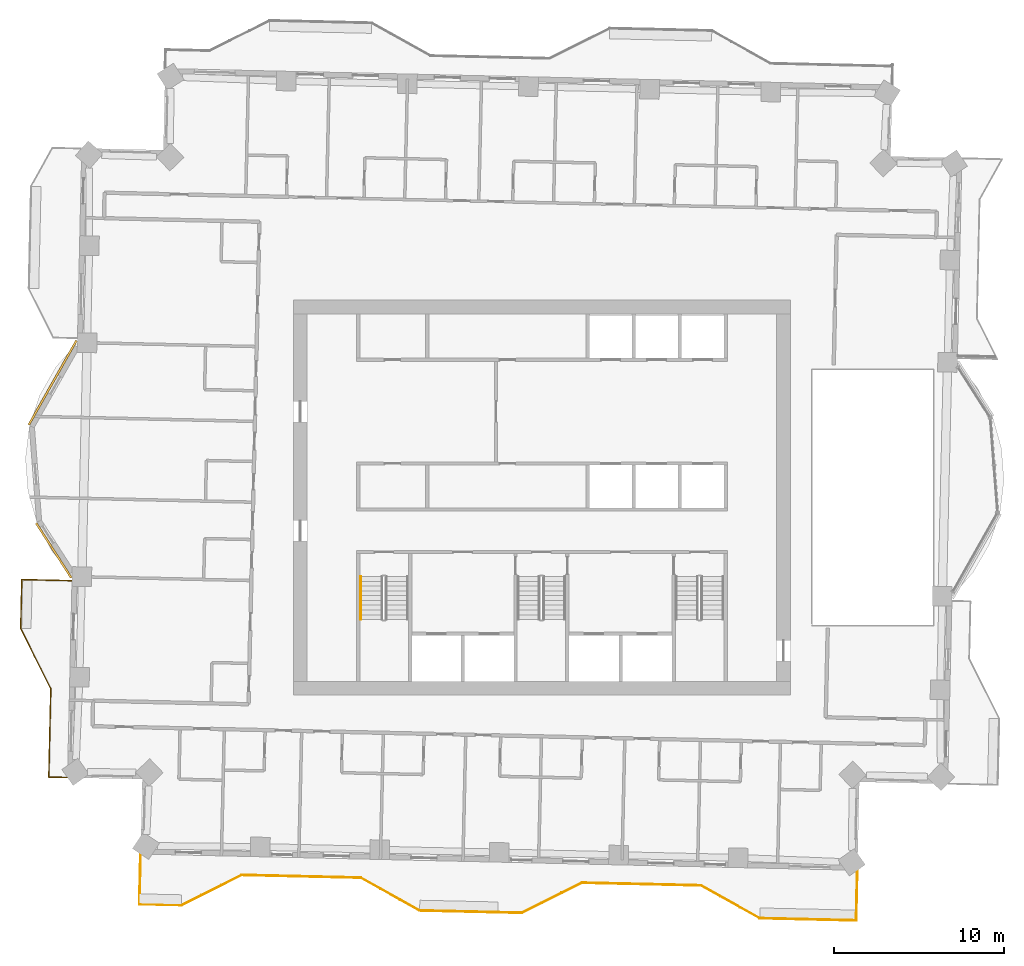
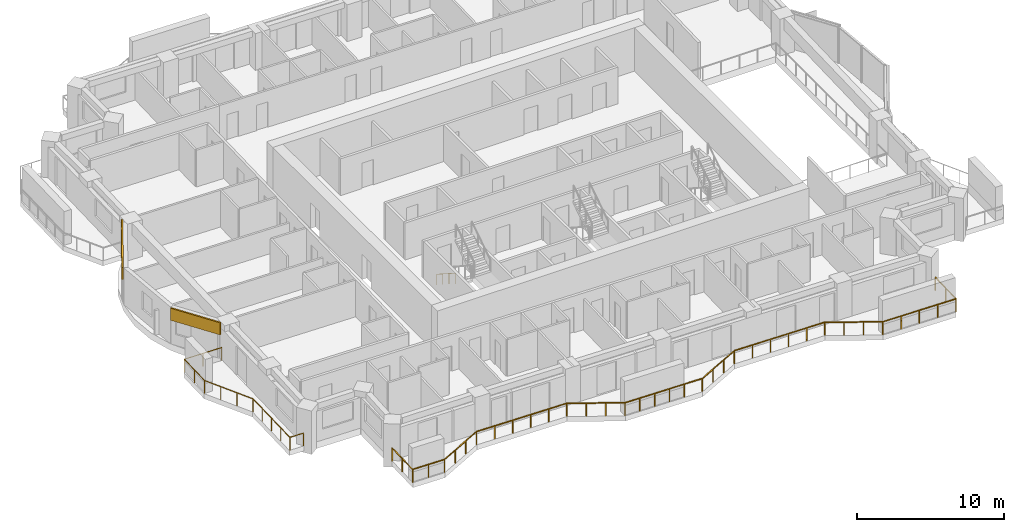
# One storey, part 13 of 16: 3 railings, 2 coverings.
"""IFC4 building model written with IfcOpenShell, lengths in metres."""

from ifc_helpers import new_model, si_unit, direction, frame, frame_2d, origin, origin_2d, place, context, subcontext, project, spatial, rectangle, circle, extrude, material, layer, layer_set, type_object, element, save


model = new_model("IFC4")

# Units and contexts
model_context = context("Model", 3, precision=1e-05, world=origin(), true_north=direction((0.0, 1.0)))
body_context = subcontext(model_context, "Body", "Model", "MODEL_VIEW")
ifc_project = project(units=[si_unit("LENGTHUNIT", "METRE"), si_unit("AREAUNIT", "SQUARE_METRE"), si_unit("VOLUMEUNIT", "CUBIC_METRE"), si_unit("PLANEANGLEUNIT", "RADIAN"), si_unit("MASSUNIT", "GRAM", prefix="KILO")], contexts=[model_context])

# Site, building, storey
site_placement = place(None, origin())
site = spatial("IfcSite", under=ifc_project, at=site_placement, CompositionType="ELEMENT")
building_placement = place(site_placement, origin())
building = spatial("IfcBuilding", under=site, at=building_placement, Name="Mangrove Gate Tower", CompositionType="ELEMENT")
storey_placement = place(building_placement, frame((0.0, 0.0, 201.5)))
storey = spatial("IfcBuildingStorey", under=building, at=storey_placement, Name="L51", CompositionType="ELEMENT", Elevation=201.5)

# Railings
ifc_material_1 = material(Name="Stainless steel grade 316 with laminated glass infill", Category="steel")
railing_type_1 = type_object("IfcRailingType", Name="Balcony guard 1100", PredefinedType="GUARDRAIL", material=ifc_material_1)
railing_1_placement = place(storey_placement, frame((-27.6669921875, -4.885986328125, 0.0)))
element("IfcRailing", 1, at=railing_1_placement, inside=storey, type_object=railing_type_1, Name="GUARD L51 W2", PredefinedType="GUARDRAIL", context=body_context, shape_type="SweptSolid", body=[
    extrude(rectangle(XDim=0.048095703125, YDim=0.048095703125, at=origin_2d()), frame((0.0, 0.0, 1.076171875), z_axis=(-0.999743349437, 0.022654696127, 0.0), x_axis=(-0.022654696127, -0.999743349437, 0.0)), (0.0, 0.0, 1.0), 2.90966796875),
    extrude(rectangle(XDim=0.048095703125, YDim=0.048095703125, at=origin_2d()), frame((-2.908935546875, 0.06591796875, 1.076171875), z_axis=(-0.022675106248, -0.999742886725, 0.0), x_axis=(0.999742886725, -0.022675106248, 0.0)), (0.0, 0.0, 1.0), 2.874755859375),
    extrude(rectangle(XDim=0.048095703125, YDim=0.048095703125, at=origin_2d()), frame((-2.97412109375, -2.80810546875, 1.076171875), z_axis=(0.447114919141, -0.894476522376, 0.0), x_axis=(0.894476522376, 0.447114919141, 0.0)), (0.0, 0.0, 1.0), 3.958740234375),
    extrude(rectangle(XDim=0.048095703125, YDim=0.048095703125, at=origin_2d()), frame((-1.2041015625, -6.34912109375, 1.076171875), z_axis=(-0.022679806622, -0.999742780105, 0.0), x_axis=(0.999742780105, -0.022679806622, 0.0)), (0.0, 0.0, 1.0), 5.19921875),
    extrude(rectangle(XDim=0.048095703125, YDim=0.048095703125, at=origin_2d()), frame((-1.322021484375, -11.547119140625, 1.076171875), z_axis=(0.999744919731, -0.022585293253, 0.0), x_axis=(0.022585293253, 0.999744919731, 0.0)), (0.0, 0.0, 1.0), 1.059326171875),
    extrude(rectangle(XDim=0.0419921875, YDim=0.0419921875, at=origin_2d()), origin(), (0.0, 0.0, 1.0), 1.052001953125),
    extrude(rectangle(XDim=0.0419921875, YDim=0.0419921875, at=origin_2d()), frame((-1.45458984375, 0.032958984375, 0.0)), (0.0, 0.0, 1.0), 1.052001953125),
    extrude(rectangle(XDim=0.0419921875, YDim=0.0419921875, at=origin_2d()), frame((-2.908935546875, 0.06591796875, 0.0)), (0.0, 0.0, 1.0), 1.052001953125),
    extrude(rectangle(XDim=0.0419921875, YDim=0.0419921875, at=origin_2d()), frame((-2.94140625, -1.37109375, 0.0)), (0.0, 0.0, 1.0), 1.052001953125),
    extrude(rectangle(XDim=0.0419921875, YDim=0.0419921875, at=origin_2d()), frame((-2.97412109375, -2.80810546875, 0.0)), (0.0, 0.0, 1.0), 1.052001953125),
    extrude(rectangle(XDim=0.0419921875, YDim=0.0419921875, at=origin_2d()), frame((-2.384033203125, -3.988525390625, 0.0)), (0.0, 0.0, 1.0), 1.052001953125),
    extrude(rectangle(XDim=0.0419921875, YDim=0.0419921875, at=origin_2d()), frame((-1.794189453125, -5.168701171875, 0.0)), (0.0, 0.0, 1.0), 1.052001953125),
    extrude(rectangle(XDim=0.0419921875, YDim=0.0419921875, at=origin_2d()), frame((-1.2041015625, -6.34912109375, 0.0)), (0.0, 0.0, 1.0), 1.052001953125),
    extrude(rectangle(XDim=0.0419921875, YDim=0.0419921875, at=origin_2d()), frame((-1.233642578125, -7.648681640625, 0.0)), (0.0, 0.0, 1.0), 1.052001953125),
    extrude(rectangle(XDim=0.0419921875, YDim=0.0419921875, at=origin_2d()), frame((-1.26318359375, -8.9482421875, 0.0)), (0.0, 0.0, 1.0), 1.052001953125),
    extrude(rectangle(XDim=0.0419921875, YDim=0.0419921875, at=origin_2d()), frame((-1.29248046875, -10.24755859375, 0.0)), (0.0, 0.0, 1.0), 1.052001953125),
    extrude(rectangle(XDim=0.0419921875, YDim=0.0419921875, at=origin_2d()), frame((-1.322021484375, -11.547119140625, 0.0)), (0.0, 0.0, 1.0), 1.052001953125),
    extrude(rectangle(XDim=0.0419921875, YDim=0.0419921875, at=origin_2d()), frame((-0.262939453125, -11.571044921875, 0.0)), (0.0, 0.0, 1.0), 1.052001953125),
])
railing_2_placement = place(storey_placement, frame((-23.592041015625, -20.9970703125, 0.0)))
element("IfcRailing", 2, at=railing_2_placement, inside=storey, type_object=railing_type_1, Name="GUARD L51 S1", PredefinedType="GUARDRAIL", context=body_context, shape_type="SweptSolid", body=[
    extrude(rectangle(XDim=0.048095703125, YDim=0.048095703125, at=origin_2d()), frame((0.0, 0.0, 1.076171875), z_axis=(-0.022319239446, -0.999750894749, 0.0), x_axis=(0.999750894749, -0.022319239446, 0.0)), (0.0, 0.0, 1.0), 2.90966796875),
    extrude(rectangle(XDim=0.048095703125, YDim=0.048095703125, at=origin_2d()), frame((-0.06494140625, -2.908935546875, 1.076171875), z_axis=(0.999744125264, -0.022620433227, 0.0), x_axis=(0.022620433227, 0.999744125264, 0.0)), (0.0, 0.0, 1.0), 2.4716796875),
    extrude(rectangle(XDim=0.048095703125, YDim=0.048095703125, at=origin_2d()), frame((2.406005859375, -2.96484375, 1.076171875), z_axis=(0.894476522376, 0.447114919141, 0.0), x_axis=(-0.447114919141, 0.894476522376, 0.0)), (0.0, 0.0, 1.0), 3.958740234375),
    extrude(rectangle(XDim=0.048095703125, YDim=0.048095703125, at=origin_2d()), frame((5.947021484375, -1.19482421875, 1.076171875), z_axis=(0.999741403216, -0.022740419861, 0.0), x_axis=(0.022740419861, 0.999741403216, 0.0)), (0.0, 0.0, 1.0), 6.999755859375),
    extrude(rectangle(XDim=0.048095703125, YDim=0.048095703125, at=origin_2d()), frame((12.945068359375, -1.35400390625, 1.076171875), z_axis=(0.87325689943, -0.48726008209, 0.0), x_axis=(0.48726008209, 0.87325689943, 0.0)), (0.0, 0.0, 1.0), 3.958740234375),
    extrude(rectangle(XDim=0.048095703125, YDim=0.048095703125, at=origin_2d()), frame((16.402099609375, -3.282958984375, 1.076171875), z_axis=(0.999744377441, -0.022609285172, 0.0), x_axis=(0.022609285172, 0.999744377441, 0.0)), (0.0, 0.0, 1.0), 4.60009765625),
    extrude(rectangle(XDim=0.048095703125, YDim=0.048095703125, at=origin_2d()), frame((21.0009765625, -3.386962890625, 1.076171875), z_axis=(0.999739219063, -0.022836240226, 0.0), x_axis=(0.022836240226, 0.999739219063, 0.0)), (0.0, 0.0, 1.0), 1.400390625),
    extrude(rectangle(XDim=0.048095703125, YDim=0.048095703125, at=origin_2d()), frame((22.401123046875, -3.4189453125, 1.076171875), z_axis=(0.894476522376, 0.447114919141, 0.0), x_axis=(-0.447114919141, 0.894476522376, 0.0)), (0.0, 0.0, 1.0), 3.958740234375),
    extrude(rectangle(XDim=0.048095703125, YDim=0.048095703125, at=origin_2d()), frame((25.942138671875, -1.64892578125, 1.076171875), z_axis=(0.999742177561, -0.022706351659, 0.0), x_axis=(0.022706351659, 0.999742177561, 0.0)), (0.0, 0.0, 1.0), 6.99951171875),
    extrude(rectangle(XDim=0.048095703125, YDim=0.048095703125, at=origin_2d()), frame((32.93994140625, -1.807861328125, 1.076171875), z_axis=(0.87325689943, -0.48726008209, 0.0), x_axis=(0.48726008209, 0.87325689943, 0.0)), (0.0, 0.0, 1.0), 3.958740234375),
    extrude(rectangle(XDim=0.048095703125, YDim=0.048095703125, at=origin_2d()), frame((36.39697265625, -3.73681640625, 1.076171875), z_axis=(0.999744693871, -0.022595288832, 0.0), x_axis=(0.022595288832, 0.999744693871, 0.0)), (0.0, 0.0, 1.0), 5.672607421875),
    extrude(rectangle(XDim=0.048095703125, YDim=0.048095703125, at=origin_2d()), frame((42.068115234375, -3.864990234375, 1.076171875), z_axis=(0.022652795902, 0.999743392495, 0.0), x_axis=(-0.999743392495, 0.022652795902, 0.0)), (0.0, 0.0, 1.0), 2.909912109375),
    extrude(rectangle(XDim=0.0419921875, YDim=0.0419921875, at=origin_2d()), origin(), (0.0, 0.0, 1.0), 1.052001953125),
    extrude(rectangle(XDim=0.0419921875, YDim=0.0419921875, at=origin_2d()), frame((-0.032470703125, -1.45458984375, 0.0)), (0.0, 0.0, 1.0), 1.052001953125),
    extrude(rectangle(XDim=0.0419921875, YDim=0.0419921875, at=origin_2d()), frame((-0.06494140625, -2.908935546875, 0.0)), (0.0, 0.0, 1.0), 1.052001953125),
    extrude(rectangle(XDim=0.0419921875, YDim=0.0419921875, at=origin_2d()), frame((1.17041015625, -2.93701171875, 0.0)), (0.0, 0.0, 1.0), 1.052001953125),
    extrude(rectangle(XDim=0.0419921875, YDim=0.0419921875, at=origin_2d()), frame((2.406005859375, -2.96484375, 0.0)), (0.0, 0.0, 1.0), 1.052001953125),
    extrude(rectangle(XDim=0.0419921875, YDim=0.0419921875, at=origin_2d()), frame((3.58642578125, -2.374755859375, 0.0)), (0.0, 0.0, 1.0), 1.052001953125),
    extrude(rectangle(XDim=0.0419921875, YDim=0.0419921875, at=origin_2d()), frame((4.7666015625, -1.784912109375, 0.0)), (0.0, 0.0, 1.0), 1.052001953125),
    extrude(rectangle(XDim=0.0419921875, YDim=0.0419921875, at=origin_2d()), frame((5.947021484375, -1.19482421875, 0.0)), (0.0, 0.0, 1.0), 1.052001953125),
    extrude(rectangle(XDim=0.0419921875, YDim=0.0419921875, at=origin_2d()), frame((7.3466796875, -1.2265625, 0.0)), (0.0, 0.0, 1.0), 1.052001953125),
    extrude(rectangle(XDim=0.0419921875, YDim=0.0419921875, at=origin_2d()), frame((8.746337890625, -1.258544921875, 0.0)), (0.0, 0.0, 1.0), 1.052001953125),
    extrude(rectangle(XDim=0.0419921875, YDim=0.0419921875, at=origin_2d()), frame((10.145751953125, -1.290283203125, 0.0)), (0.0, 0.0, 1.0), 1.052001953125),
    extrude(rectangle(XDim=0.0419921875, YDim=0.0419921875, at=origin_2d()), frame((11.54541015625, -1.322265625, 0.0)), (0.0, 0.0, 1.0), 1.052001953125),
    extrude(rectangle(XDim=0.0419921875, YDim=0.0419921875, at=origin_2d()), frame((12.945068359375, -1.35400390625, 0.0)), (0.0, 0.0, 1.0), 1.052001953125),
    extrude(rectangle(XDim=0.0419921875, YDim=0.0419921875, at=origin_2d()), frame((14.097412109375, -1.9970703125, 0.0)), (0.0, 0.0, 1.0), 1.052001953125),
    extrude(rectangle(XDim=0.0419921875, YDim=0.0419921875, at=origin_2d()), frame((15.249755859375, -2.639892578125, 0.0)), (0.0, 0.0, 1.0), 1.052001953125),
    extrude(rectangle(XDim=0.0419921875, YDim=0.0419921875, at=origin_2d()), frame((16.402099609375, -3.282958984375, 0.0)), (0.0, 0.0, 1.0), 1.052001953125),
    extrude(rectangle(XDim=0.0419921875, YDim=0.0419921875, at=origin_2d()), frame((17.5517578125, -3.30908203125, 0.0)), (0.0, 0.0, 1.0), 1.052001953125),
    extrude(rectangle(XDim=0.0419921875, YDim=0.0419921875, at=origin_2d()), frame((18.70166015625, -3.3349609375, 0.0)), (0.0, 0.0, 1.0), 1.052001953125),
    extrude(rectangle(XDim=0.0419921875, YDim=0.0419921875, at=origin_2d()), frame((19.851318359375, -3.36083984375, 0.0)), (0.0, 0.0, 1.0), 1.052001953125),
    extrude(rectangle(XDim=0.0419921875, YDim=0.0419921875, at=origin_2d()), frame((21.0009765625, -3.386962890625, 0.0)), (0.0, 0.0, 1.0), 1.052001953125),
    extrude(rectangle(XDim=0.0419921875, YDim=0.0419921875, at=origin_2d()), frame((22.401123046875, -3.4189453125, 0.0)), (0.0, 0.0, 1.0), 1.052001953125),
    extrude(rectangle(XDim=0.0419921875, YDim=0.0419921875, at=origin_2d()), frame((23.58154296875, -2.828857421875, 0.0)), (0.0, 0.0, 1.0), 1.052001953125),
    extrude(rectangle(XDim=0.0419921875, YDim=0.0419921875, at=origin_2d()), frame((24.76171875, -2.239013671875, 0.0)), (0.0, 0.0, 1.0), 1.052001953125),
    extrude(rectangle(XDim=0.0419921875, YDim=0.0419921875, at=origin_2d()), frame((25.942138671875, -1.64892578125, 0.0)), (0.0, 0.0, 1.0), 1.052001953125),
    extrude(rectangle(XDim=0.0419921875, YDim=0.0419921875, at=origin_2d()), frame((27.341796875, -1.6806640625, 0.0)), (0.0, 0.0, 1.0), 1.052001953125),
    extrude(rectangle(XDim=0.0419921875, YDim=0.0419921875, at=origin_2d()), frame((28.7412109375, -1.71240234375, 0.0)), (0.0, 0.0, 1.0), 1.052001953125),
    extrude(rectangle(XDim=0.0419921875, YDim=0.0419921875, at=origin_2d()), frame((30.140869140625, -1.744384765625, 0.0)), (0.0, 0.0, 1.0), 1.052001953125),
    extrude(rectangle(XDim=0.0419921875, YDim=0.0419921875, at=origin_2d()), frame((31.540283203125, -1.776123046875, 0.0)), (0.0, 0.0, 1.0), 1.052001953125),
    extrude(rectangle(XDim=0.0419921875, YDim=0.0419921875, at=origin_2d()), frame((32.93994140625, -1.807861328125, 0.0)), (0.0, 0.0, 1.0), 1.052001953125),
    extrude(rectangle(XDim=0.0419921875, YDim=0.0419921875, at=origin_2d()), frame((34.09228515625, -2.450927734375, 0.0)), (0.0, 0.0, 1.0), 1.052001953125),
    extrude(rectangle(XDim=0.0419921875, YDim=0.0419921875, at=origin_2d()), frame((35.24462890625, -3.09375, 0.0)), (0.0, 0.0, 1.0), 1.052001953125),
    extrude(rectangle(XDim=0.0419921875, YDim=0.0419921875, at=origin_2d()), frame((36.39697265625, -3.73681640625, 0.0)), (0.0, 0.0, 1.0), 1.052001953125),
    extrude(rectangle(XDim=0.0419921875, YDim=0.0419921875, at=origin_2d()), frame((37.814697265625, -3.768798828125, 0.0)), (0.0, 0.0, 1.0), 1.052001953125),
    extrude(rectangle(XDim=0.0419921875, YDim=0.0419921875, at=origin_2d()), frame((39.232421875, -3.80078125, 0.0)), (0.0, 0.0, 1.0), 1.052001953125),
    extrude(rectangle(XDim=0.0419921875, YDim=0.0419921875, at=origin_2d()), frame((40.650390625, -3.8330078125, 0.0)), (0.0, 0.0, 1.0), 1.052001953125),
    extrude(rectangle(XDim=0.0419921875, YDim=0.0419921875, at=origin_2d()), frame((42.068115234375, -3.864990234375, 0.0)), (0.0, 0.0, 1.0), 1.052001953125),
    extrude(rectangle(XDim=0.0419921875, YDim=0.0419921875, at=origin_2d()), frame((42.10107421875, -2.410400390625, 0.0)), (0.0, 0.0, 1.0), 1.052001953125),
    extrude(rectangle(XDim=0.0419921875, YDim=0.0419921875, at=origin_2d()), frame((42.134033203125, -0.955810546875, 0.0)), (0.0, 0.0, 1.0), 1.052001953125),
])
ifc_material_2 = material(Name="Stainless steel 316", Category="steel")
railing_type_2 = type_object("IfcRailingType", Name="Core stair handrail 900", PredefinedType="HANDRAIL", material=ifc_material_2)
railing_3_placement = place(storey_placement, frame((-10.64990234375, -4.64990234375, 0.179931640625)))
element("IfcRailing", 3, at=railing_3_placement, inside=storey, type_object=railing_type_2, Name="L51 ST1 stair handrail 1", PredefinedType="HANDRAIL", context=body_context, shape_type="SweptSolid", body=[
    extrude(circle(Radius=0.02392578125, at=origin_2d()), frame((0.0, 0.0, 0.8759765625), z_axis=(0.0, -0.841162588446, 0.540782303519), x_axis=(1.0, 0.0, 0.0)), (0.0, 0.0, 1.0), 2.995849609375),
    extrude(circle(Radius=0.02099609375, at=origin_2d()), origin(), (0.0, 0.0, 1.0), 0.851806640625),
    extrude(circle(Radius=0.02099609375, at=origin_2d()), frame((0.0, -0.840087890625, 0.5400390625)), (0.0, 0.0, 1.0), 0.851806640625),
    extrude(circle(Radius=0.02099609375, at=origin_2d()), frame((0.0, -1.679931640625, 1.080078125)), (0.0, 0.0, 1.0), 0.851806640625),
    extrude(circle(Radius=0.02099609375, at=origin_2d()), frame((0.0, -2.52001953125, 1.6201171875)), (0.0, 0.0, 1.0), 0.851806640625),
])

# Coverings
ifc_material_3 = material(Name="Limestone", Category="masonry")
ifc_layer_1 = layer(ifc_material_3, 0.0400390625, Name="Limestone cladding")
ifc_material_4 = material(Name="Stainless steel anchors and cavity", Category="steel")
ifc_layer_2 = layer(ifc_material_4, 0.080078125, Name="Fixing cavity")
ifc_layer_set = layer_set([ifc_layer_1, ifc_layer_2], Name="Joint fascia cladding 120")
covering_type = type_object("IfcCoveringType", Name="Joint fascia cladding 120", PredefinedType="CLADDING", material=ifc_layer_set)
covering_1_placement = place(storey_placement, frame((-27.357177734375, 9.236083984375, 2.050048828125), z_axis=(0.0, 0.0, 1.0), x_axis=(-0.492516887056, -0.870302887485, 0.0)))
element("IfcCovering", 4, at=covering_1_placement, inside=storey, type_object=covering_type, Name="STONE FASCIA L51 W9.L1", PredefinedType="CLADDING", context=body_context, shape_type="SweptSolid", body=[
    extrude(rectangle(XDim=5.705078125, YDim=0.1201171875, at=frame_2d((2.8525390625, 0.0))), origin(), (0.0, 0.0, 1.0), 1.0),
])
covering_2_placement = place(storey_placement, frame((-29.73095703125, -1.501953125, 2.050048828125), z_axis=(0.0, 0.0, 1.0), x_axis=(0.540340805768, -0.841446263063, 0.0)))
element("IfcCovering", 5, at=covering_2_placement, inside=storey, type_object=covering_type, Name="STONE FASCIA L51 W9.L2", PredefinedType="CLADDING", context=body_context, shape_type="SweptSolid", body=[
    extrude(rectangle(XDim=3.81982421875, YDim=0.1201171875, at=frame_2d((1.909912109375, 0.0))), origin(), (0.0, 0.0, 1.0), 1.0),
])

save(model, "model.ifc")
